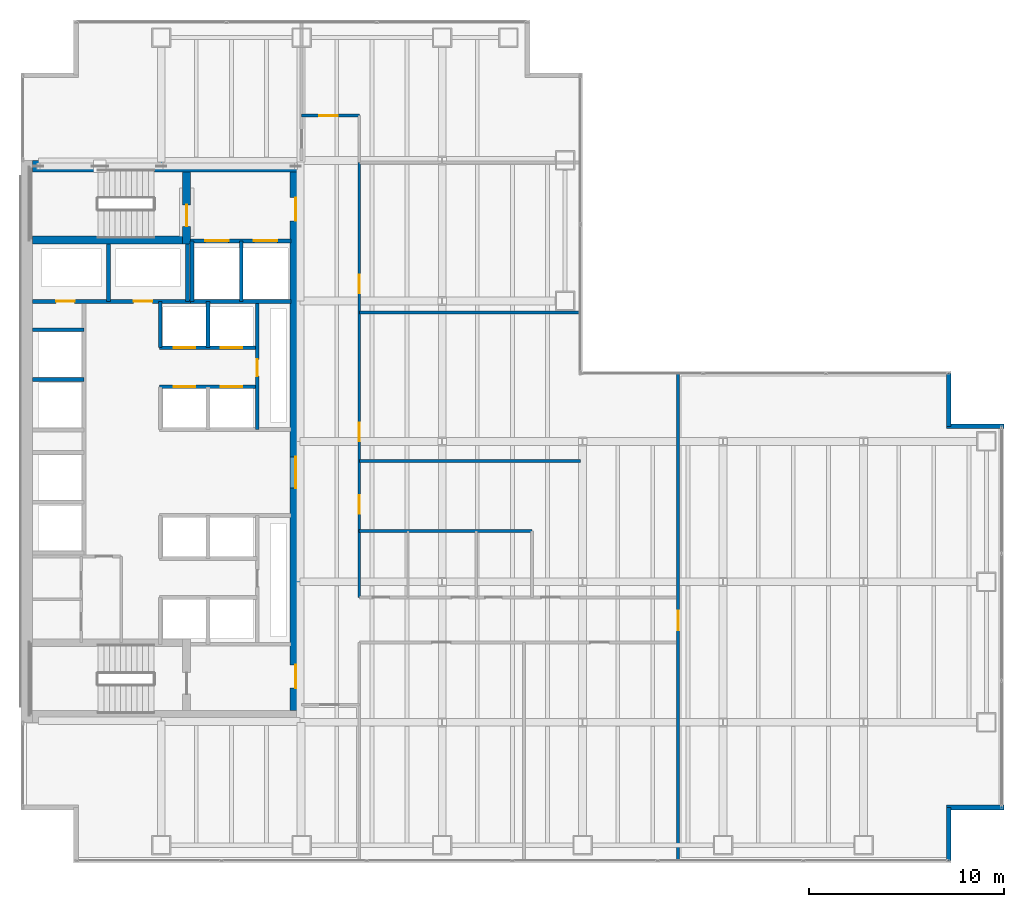
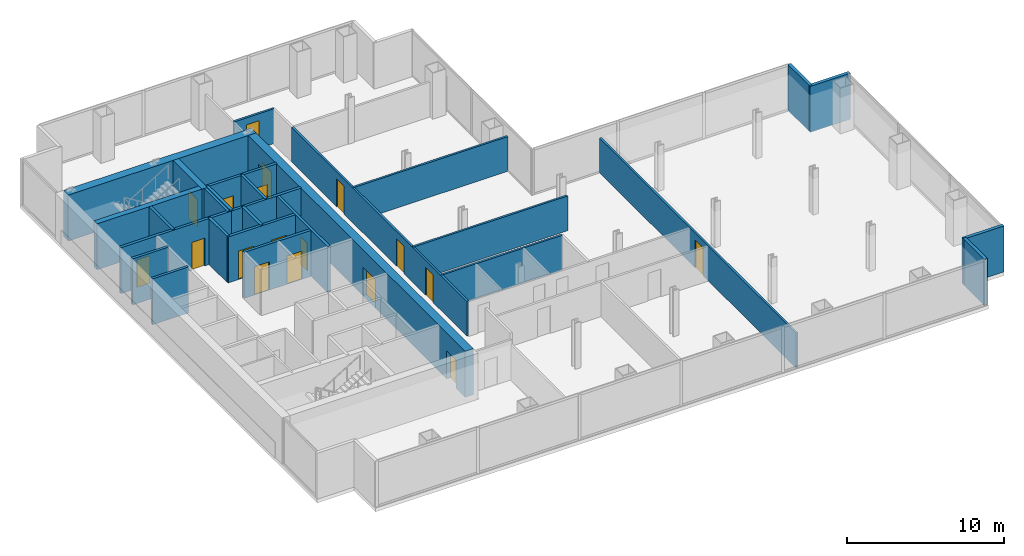
# One storey, part 21 of 25: 28 walls, 18 doors, 18 openings.
"""IFC4 building model written with IfcOpenShell, lengths in metres."""

import ifcopenshell
import ifcopenshell.guid

model = None  # the IFC model being written
_history = None  # IfcOwnerHistory: only IFC2X3 demands one
_inside = {}  # id of a spatial element -> (the spatial element, [elements in it])
_under = {}  # id of a project, library or spatial element -> (it, [spatial elements below it])
_declared = {}  # id of a project -> (the project, [libraries it declares])
_typed = {}  # id of a type object -> (the type object, [elements of that type])
_made_of = {}  # id of a material, layer set ... -> (it, [elements and type objects made of it])


def new_model(schema):
    """Start an empty IFC model of exactly this schema.

    Asked for "IFC4X3", IfcOpenShell would pick the latest addendum, in which some entities
    have other attributes; the version numbers below select the first issue.
    IFC2X3 requires an IfcOwnerHistory on every rooted entity: one is made here for all.
    """
    global model, _history
    if schema == "IFC4X3":
        model = ifcopenshell.file(schema_version=(4, 3, 0, 0))
    else:
        model = ifcopenshell.file(schema=schema)
    _inside.clear()
    _under.clear()
    _declared.clear()
    _typed.clear()
    _made_of.clear()
    _history = None
    if model.schema == "IFC2X3":
        org = make("IfcOrganization", Name="unknown")
        user = make(
            "IfcPersonAndOrganization",
            ThePerson=make("IfcPerson", FamilyName="unknown"),
            TheOrganization=org,
        )
        app = make(
            "IfcApplication",
            ApplicationDeveloper=org,
            Version="unknown",
            ApplicationFullName="unknown",
            ApplicationIdentifier="unknown",
        )
        _history = make(
            "IfcOwnerHistory",
            OwningUser=user,
            OwningApplication=app,
            ChangeAction="ADDED",
            CreationDate=0,
        )
    return model


def make(cls, **values):
    """One entity of the class cls with the attributes given. An attribute that is None is left unset."""
    return model.create_entity(
        cls, **{name: value for name, value in values.items() if value is not None}
    )


def rooted(cls, **values):
    """An entity with a GlobalId (a new one), such as an element, a storey or a relation."""
    return make(cls, GlobalId=ifcopenshell.guid.new(), OwnerHistory=_history, **values)


def si_unit(unit_type, name, prefix=None):
    """IfcSIUnit, for example si_unit("LENGTHUNIT", "METRE", prefix="MILLI")."""
    return make("IfcSIUnit", UnitType=unit_type, Prefix=prefix, Name=name)


def assignment(units):
    """IfcUnitAssignment: the units of a project."""
    return None if units is None else make("IfcUnitAssignment", Units=units)


def point(xyz):
    """IfcCartesianPoint."""
    return None if xyz is None else make("IfcCartesianPoint", Coordinates=xyz)


def direction(xyz):
    """IfcDirection."""
    return None if xyz is None else make("IfcDirection", DirectionRatios=xyz)


def frame(location, z_axis=None, x_axis=None):
    """IfcAxis2Placement3D, a coordinate frame: its origin and axes. An axis left out is left unset."""
    return make(
        "IfcAxis2Placement3D",
        Location=point(location),
        Axis=direction(z_axis),
        RefDirection=direction(x_axis),
    )


def frame_2d(location, x_axis=None):
    """IfcAxis2Placement2D, a coordinate frame in the plane: its origin and x axis."""
    return make(
        "IfcAxis2Placement2D", Location=point(location), RefDirection=direction(x_axis)
    )


def origin():
    """The frame at (0, 0, 0) with its axes left unset."""
    return frame((0.0, 0.0, 0.0))


def place(relative_to, where):
    """IfcLocalPlacement: puts the frame where relative to a parent placement (None: the world)."""
    return make(
        "IfcLocalPlacement", PlacementRelTo=relative_to, RelativePlacement=where
    )


def context(
    kind, dimensions, precision=None, world=None, true_north=None, identifier=None
):
    """IfcGeometricRepresentationContext, for example the 3D "Model" context."""
    return make(
        "IfcGeometricRepresentationContext",
        ContextIdentifier=identifier,
        ContextType=kind,
        CoordinateSpaceDimension=dimensions,
        Precision=precision,
        WorldCoordinateSystem=world,
        TrueNorth=true_north,
    )


def subcontext(parent, identifier, kind, view, scale=None):
    """IfcGeometricRepresentationSubContext, for example "Body" below "Model"."""
    return make(
        "IfcGeometricRepresentationSubContext",
        ContextIdentifier=identifier,
        ContextType=kind,
        ParentContext=parent,
        TargetScale=scale,
        TargetView=view,
    )


def project(units=None, contexts=None):
    """IfcProject with its units and contexts."""
    return rooted(
        "IfcProject",
        Name="project",
        RepresentationContexts=contexts,
        UnitsInContext=assignment(units),
    )


def spatial(cls, under=None, at=None, **own):
    """A site, building, storey or space (cls), placed at a placement, below another one or the project."""
    s = rooted(cls, ObjectPlacement=at, **own)
    if under is not None:
        _under.setdefault(under.id(), (under, []))[1].append(s)
    return s


def profile(cls, at=None, kind="AREA", **sizes):
    """A parametric profile (cls). Its sizes go by their IFC names, for example OverallWidth=200.0."""
    return make(cls, ProfileType=kind, Position=at, **sizes)


def rectangle(**sizes):
    """IfcRectangleProfileDef."""
    return profile("IfcRectangleProfileDef", **sizes)


def extrude(swept, where, along, depth):
    """IfcExtrudedAreaSolid: the profile swept, set in the frame where, extruded along a direction by depth."""
    return make(
        "IfcExtrudedAreaSolid",
        SweptArea=swept,
        Position=where,
        ExtrudedDirection=direction(along),
        Depth=depth,
    )


def shape(context_of_items, identifier, shape_type, items):
    """IfcShapeRepresentation: the items that make up one representation, for example the "Body"."""
    return make(
        "IfcShapeRepresentation",
        ContextOfItems=context_of_items,
        RepresentationIdentifier=identifier,
        RepresentationType=shape_type,
        Items=items,
    )


def material(Name=None, Category=None):
    """IfcMaterial."""
    return make("IfcMaterial", Name=Name, Category=Category)


def layer(
    of_material, thickness, ventilated=None, Name=None, Category=None, Priority=None
):
    """IfcMaterialLayer: one layer of a wall or slab, of a material (None: an air gap)."""
    return make(
        "IfcMaterialLayer",
        Material=of_material,
        LayerThickness=thickness,
        IsVentilated=ventilated,
        Name=Name,
        Category=Category,
        Priority=Priority,
    )


def layer_set(layers, Name=None):
    """IfcMaterialLayerSet."""
    return make("IfcMaterialLayerSet", MaterialLayers=layers, LayerSetName=Name)


def made_of(thing, what):
    """Note that an element or type object is made of a material, layer set ...; save() writes the relation."""
    if what is not None:
        _made_of.setdefault(what.id(), (what, []))[1].append(thing)
    return thing


def type_object(cls, material=None, **own):
    """A type object (cls), such as IfcWallType, which elements share."""
    return made_of(rooted(cls, **own), material)


def element(
    cls,
    number,
    at=None,
    inside=None,
    cuts=None,
    type_object=None,
    material=None,
    context=None,
    identifier="Body",
    shape_type=None,
    held_by="IfcProductDefinitionShape",
    body=None,
    shapes=None,
    **own,
):
    """One element of the class cls, such as IfcWall. Its Tag is "e" and its number.

    at: its placement. inside: the storey or other place that contains it. cuts: it is an
    opening in that element (IfcRelVoidsElement). A single representation is given by context,
    identifier, shape_type and body (its items); several are given by shapes. held_by: the class
    of the entity that holds the representations. save() writes the other relations.
    """
    e = rooted(cls, Tag="e%d" % number, ObjectPlacement=at, **own)
    if body is not None:
        shapes = [shape(context, identifier, shape_type, body)]
    if shapes is not None:
        e.Representation = make(held_by, Representations=shapes)
    if inside is not None:
        _inside.setdefault(inside.id(), (inside, []))[1].append(e)
    if cuts is not None:
        rooted(
            "IfcRelVoidsElement", RelatingBuildingElement=cuts, RelatedOpeningElement=e
        )
    if type_object is not None:
        _typed.setdefault(type_object.id(), (type_object, []))[1].append(e)
    return made_of(e, material)


def fill(opening, filler):
    """IfcRelFillsElement: the door or window that sits in an opening."""
    return rooted(
        "IfcRelFillsElement",
        RelatingOpeningElement=opening,
        RelatedBuildingElement=filler,
    )


def aggregate(whole, parts):
    """IfcRelAggregates: a whole, such as a stair, and the parts it consists of."""
    return rooted("IfcRelAggregates", RelatingObject=whole, RelatedObjects=parts)


def save(model, path):
    """Write the relations noted so far, then the file.

    IfcRelAggregates (storeys below a building ...), IfcRelContainedInSpatialStructure (elements
    in a storey), IfcRelDefinesByType, IfcRelAssociatesMaterial and IfcRelDeclares: one each for
    every whole, place, type object, material and project.
    """
    for whole, parts in _under.values():
        aggregate(whole, parts)
    for where, things in _inside.values():
        rooted(
            "IfcRelContainedInSpatialStructure",
            RelatedElements=things,
            RelatingStructure=where,
        )
    for kind, things in _typed.values():
        rooted("IfcRelDefinesByType", RelatedObjects=things, RelatingType=kind)
    for what, things in _made_of.values():
        rooted("IfcRelAssociatesMaterial", RelatedObjects=things, RelatingMaterial=what)
    for by, libraries in _declared.values():
        rooted("IfcRelDeclares", RelatingContext=by, RelatedDefinitions=libraries)
    model.write(path)


model = new_model("IFC4")

# Units and contexts
model_context = context("Model", 3, precision=1e-05, world=origin(), true_north=direction((0.0, 1.0)))
body_context = subcontext(model_context, "Body", "Model", "MODEL_VIEW")
ifc_project = project(units=[si_unit("LENGTHUNIT", "METRE"), si_unit("AREAUNIT", "SQUARE_METRE"), si_unit("VOLUMEUNIT", "CUBIC_METRE"), si_unit("PLANEANGLEUNIT", "RADIAN"), si_unit("MASSUNIT", "GRAM", prefix="KILO")], contexts=[model_context])

# Site, building, storey
site_placement = place(None, origin())
site = spatial("IfcSite", under=ifc_project, at=site_placement, CompositionType="ELEMENT")
building_placement = place(site_placement, origin())
building = spatial("IfcBuilding", under=site, at=building_placement, Name="Cobrela Telecom Tower", CompositionType="ELEMENT")
storey_placement = place(building_placement, frame((0.0, 0.0, 61.949951171875)))
storey = spatial("IfcBuildingStorey", under=building, at=storey_placement, Name="L15", CompositionType="ELEMENT", Elevation=61.949951171875)

# Wall
ifc_material_1 = material(Name="Concrete C50/60", Category="concrete")
ifc_layer_1 = layer(ifc_material_1, 0.60009765625)
ifc_layer_set_1 = layer_set([ifc_layer_1], Name="Concrete C50/60")
wall_type_1 = type_object("IfcWallType", Name="WALL-CORE-C50-600", PredefinedType="SHEAR", material=ifc_layer_set_1)
wall_1_placement = place(storey_placement, frame((0.60009765625, 35.699951171875, 0.0), z_axis=(0.0, 0.0, 1.0), x_axis=(1.0, 0.0, 0.0)))
element("IfcWall", 1, at=wall_1_placement, inside=storey, type_object=wall_type_1, Name="L15 North Core Shear Wall", PredefinedType="SHEAR", context=body_context, shape_type="SweptSolid", body=[
    extrude(rectangle(XDim=13.7998046875, YDim=0.60009765625, at=frame_2d((6.89990234375, 0.0))), origin(), (0.0, 0.0, 1.0), 3.570068359375),
])

# Wall, openings, doors
wall_2_placement = place(storey_placement, frame((14.10009765625, 35.39990234375, 0.0), z_axis=(0.0, 0.0, 1.0), x_axis=(0.0, -1.0, 0.0)))
wall_2 = element("IfcWall", 2, at=wall_2_placement, inside=storey, type_object=wall_type_1, Name="L15 East Core Shear Wall", PredefinedType="SHEAR", context=body_context, shape_type="SweptSolid", body=[
    extrude(rectangle(XDim=27.599853515625, YDim=0.60009765625, at=frame_2d((13.7998046875, 0.0))), origin(), (0.0, 0.0, 1.0), 3.570068359375),
])
opening_1_placement = place(wall_2_placement, frame((1.300048828125, 0.0, 0.0)))
opening_1 = element("IfcOpeningElement", 3, at=opening_1_placement, cuts=wall_2, Name="Opening DR-19", PredefinedType="OPENING", context=body_context, shape_type="SweptSolid", body=[
    extrude(rectangle(XDim=1.199951171875, YDim=2.14990234375, at=frame_2d((0.60009765625, 1.074951171875))), frame((0.0, 0.31201171875, 0.0), z_axis=(0.0, -1.0, 0.0), x_axis=(1.0, 0.0, 0.0)), (0.0, 0.0, 1.0), 0.6240234375),
])
opening_2_placement = place(wall_2_placement, frame((25.25, 0.0, 0.0)))
opening_2 = element("IfcOpeningElement", 4, at=opening_2_placement, cuts=wall_2, Name="Opening DR-19", PredefinedType="OPENING", context=body_context, shape_type="SweptSolid", body=[
    extrude(rectangle(XDim=1.199951171875, YDim=2.14990234375, at=frame_2d((0.60009765625, 1.074951171875))), frame((0.0, 0.31201171875, 0.0), z_axis=(0.0, -1.0, 0.0), x_axis=(1.0, 0.0, 0.0)), (0.0, 0.0, 1.0), 0.6240234375),
])
opening_3_placement = place(wall_2_placement, frame((14.60009765625, 0.0, 0.0)))
opening_3 = element("IfcOpeningElement", 5, at=opening_3_placement, cuts=wall_2, Name="Opening DR-51", PredefinedType="OPENING", context=body_context, shape_type="SweptSolid", body=[
    extrude(rectangle(XDim=1.60009765625, YDim=2.199951171875, at=frame_2d((0.800048828125, 1.10009765625))), frame((0.0, 0.31201171875, 0.0), z_axis=(0.0, -1.0, 0.0), x_axis=(1.0, 0.0, 0.0)), (0.0, 0.0, 1.0), 0.6240234375),
])
ifc_material_2 = material(Name="Steel ASTM A36", Category="steel")
door_type_1 = type_object("IfcDoorType", Name="DOOR-FD60-1200", OperationType="SINGLE_SWING_LEFT", PredefinedType="DOOR", material=ifc_material_2)
door_1_placement = place(opening_1_placement, origin())
door_1 = element("IfcDoor", 6, at=door_1_placement, inside=storey, type_object=door_type_1, Name="L15 Door DR-19", OperationType="SINGLE_SWING_LEFT", OverallHeight=2.14990234375, OverallWidth=1.199951171875, PredefinedType="DOOR", context=body_context, shape_type="SweptSolid", body=[
    extrude(rectangle(XDim=1.199951171875, YDim=2.14990234375, at=frame_2d((0.60009765625, 1.074951171875))), frame((0.0, 0.02490234375, 0.0), z_axis=(0.0, -1.0, 0.0), x_axis=(1.0, 0.0, 0.0)), (0.0, 0.0, 1.0), 0.050048828125),
])
fill(opening_1, door_1)
door_2_placement = place(opening_2_placement, origin())
door_2 = element("IfcDoor", 7, at=door_2_placement, inside=storey, type_object=door_type_1, Name="L15 Door DR-19", OperationType="SINGLE_SWING_RIGHT", OverallHeight=2.14990234375, OverallWidth=1.199951171875, PredefinedType="DOOR", context=body_context, shape_type="SweptSolid", body=[
    extrude(rectangle(XDim=1.199951171875, YDim=2.14990234375, at=frame_2d((0.60009765625, 1.074951171875))), frame((0.0, 0.02490234375, 0.0), z_axis=(0.0, -1.0, 0.0), x_axis=(1.0, 0.0, 0.0)), (0.0, 0.0, 1.0), 0.050048828125),
])
fill(opening_2, door_2)
door_type_2 = type_object("IfcDoorType", Name="DOOR-FD60-1600", OperationType="SINGLE_SWING_LEFT", PredefinedType="DOOR", material=ifc_material_2)
door_3_placement = place(opening_3_placement, origin())
door_3 = element("IfcDoor", 8, at=door_3_placement, inside=storey, type_object=door_type_2, Name="L15 Door DR-51", OperationType="DOUBLE_DOOR_SINGLE_SWING", OverallHeight=2.199951171875, OverallWidth=1.60009765625, PredefinedType="DOOR", context=body_context, shape_type="SweptSolid", body=[
    extrude(rectangle(XDim=1.60009765625, YDim=2.199951171875, at=frame_2d((0.800048828125, 1.10009765625))), frame((0.0, 0.02490234375, 0.0), z_axis=(0.0, -1.0, 0.0), x_axis=(1.0, 0.0, 0.0)), (0.0, 0.0, 1.0), 0.050048828125),
])
fill(opening_3, door_3)

# Walls
ifc_material_3 = material(Name="Concrete C40/50", Category="concrete")
ifc_layer_2 = layer(ifc_material_3, 0.239990234375)
ifc_layer_set_2 = layer_set([ifc_layer_2], Name="Concrete C40/50")
wall_type_2 = type_object("IfcWallType", Name="WALL-EXT-300", PredefinedType="STANDARD", material=ifc_layer_set_2)
wall_3_placement = place(storey_placement, frame((47.570068359375, 25.080078125, 0.0), z_axis=(0.0, 0.0, 1.0), x_axis=(0.0, -1.0, 0.0)))
element("IfcWall", 9, at=wall_3_placement, inside=storey, type_object=wall_type_2, Name="L15 Insulated Facade Wall 12", PredefinedType="STANDARD", context=body_context, shape_type="SweptSolid", body=[
    extrude(rectangle(XDim=2.7099609375, YDim=0.239990234375, at=frame_2d((1.35498046875, 0.0))), origin(), (0.0, 0.0, 1.0), 3.570068359375),
])
for number, where, z_axis, x_axis, name in (
    (10, (47.449951171875, 22.3701171875, 0.0), (0.0, 0.0, 1.0), (1.0, 0.0, 0.0), "L15 Insulated Facade Wall 13"),
    (11, (50.39990234375, 2.830078125, 0.0), (0.0, 0.0, 1.0), (-1.0, 0.0, 0.0), "L15 Insulated Facade Wall 15"),
):
    element("IfcWall", number, at=place(storey_placement, frame(where, z_axis=z_axis, x_axis=x_axis)), inside=storey, type_object=wall_type_2, Name=name, PredefinedType="STANDARD", context=body_context, shape_type="SweptSolid", body=[
        extrude(rectangle(XDim=2.949951171875, YDim=0.239990234375, at=frame_2d((1.47509765625, 0.0))), origin(), (0.0, 0.0, 1.0), 3.570068359375),
    ])
wall_4_placement = place(storey_placement, frame((47.570068359375, 2.830078125, 0.0), z_axis=(0.0, 0.0, 1.0), x_axis=(0.0, -1.0, 0.0)))
element("IfcWall", 12, at=wall_4_placement, inside=storey, type_object=wall_type_2, Name="L15 Insulated Facade Wall 16", PredefinedType="STANDARD", context=body_context, shape_type="SweptSolid", body=[
    extrude(rectangle(XDim=2.7099609375, YDim=0.239990234375, at=frame_2d((1.35498046875, 0.0))), origin(), (0.0, 0.0, 1.0), 3.570068359375),
])

# Wall, openings, doors
ifc_material_4 = material(Name="Fire-Rated Gypsum Plasterboard")
ifc_layer_3 = layer(ifc_material_4, 0.14990234375)
ifc_layer_set_3 = layer_set([ifc_layer_3], Name="Fire-Rated Gypsum Plasterboard")
wall_type_3 = type_object("IfcWallType", Name="WALL-PART-150", PredefinedType="PARTITIONING", material=ifc_layer_set_3)
wall_5_placement = place(storey_placement, frame((17.35009765625, 13.60009765625, 0.0), z_axis=(0.0, 0.0, 1.0), x_axis=(0.0, 1.0, 0.0)))
wall_5 = element("IfcWall", 13, at=wall_5_placement, inside=storey, type_object=wall_type_3, Name="L15 Interior Partition W-C-E2", PredefinedType="PARTITIONING", context=body_context, shape_type="SweptSolid", body=[
    extrude(rectangle(XDim=22.2998046875, YDim=0.14990234375, at=frame_2d((11.14990234375, 0.0))), origin(), (0.0, 0.0, 1.0), 2.698974609375),
])
opening_4_placement = place(wall_5_placement, frame((4.300048828125, 0.0, 0.0)))
opening_4 = element("IfcOpeningElement", 14, at=opening_4_placement, cuts=wall_5, Name="Opening DR-67", PredefinedType="OPENING", context=body_context, shape_type="SweptSolid", body=[
    extrude(rectangle(XDim=0.949951171875, YDim=2.14990234375, at=frame_2d((0.47509765625, 1.074951171875))), frame((0.0, 0.0869140625, 0.0), z_axis=(0.0, -1.0, 0.0), x_axis=(1.0, 0.0, 0.0)), (0.0, 0.0, 1.0), 0.173828125),
])
opening_5_placement = place(wall_5_placement, frame((8.0, 0.0, 0.0)))
opening_5 = element("IfcOpeningElement", 15, at=opening_5_placement, cuts=wall_5, Name="Opening DR-67", PredefinedType="OPENING", context=body_context, shape_type="SweptSolid", body=[
    extrude(rectangle(XDim=0.949951171875, YDim=2.14990234375, at=frame_2d((0.47509765625, 1.074951171875))), frame((0.0, 0.0869140625, 0.0), z_axis=(0.0, -1.0, 0.0), x_axis=(1.0, 0.0, 0.0)), (0.0, 0.0, 1.0), 0.173828125),
])
opening_6_placement = place(wall_5_placement, frame((15.60009765625, 0.0, 0.0)))
opening_6 = element("IfcOpeningElement", 16, at=opening_6_placement, cuts=wall_5, Name="Opening DR-67", PredefinedType="OPENING", context=body_context, shape_type="SweptSolid", body=[
    extrude(rectangle(XDim=0.949951171875, YDim=2.14990234375, at=frame_2d((0.47509765625, 1.074951171875))), frame((0.0, 0.0869140625, 0.0), z_axis=(0.0, -1.0, 0.0), x_axis=(1.0, 0.0, 0.0)), (0.0, 0.0, 1.0), 0.173828125),
])
ifc_material_5 = material(Name="Solid Engineered Oak Timber", Category="wood")
door_type_3 = type_object("IfcDoorType", Name="DOOR-INT-950", OperationType="SINGLE_SWING_LEFT", PredefinedType="DOOR", material=ifc_material_5)
door_4_placement = place(opening_4_placement, origin())
door_4 = element("IfcDoor", 17, at=door_4_placement, inside=storey, type_object=door_type_3, Name="L15 Door DR-67", OperationType="SINGLE_SWING_RIGHT", OverallHeight=2.14990234375, OverallWidth=0.949951171875, PredefinedType="DOOR", context=body_context, shape_type="SweptSolid", body=[
    extrude(rectangle(XDim=0.949951171875, YDim=2.14990234375, at=frame_2d((0.47509765625, 1.074951171875))), frame((0.0, 0.02490234375, 0.0), z_axis=(0.0, -1.0, 0.0), x_axis=(1.0, 0.0, 0.0)), (0.0, 0.0, 1.0), 0.050048828125),
])
fill(opening_4, door_4)
door_5_placement = place(opening_5_placement, origin())
door_5 = element("IfcDoor", 18, at=door_5_placement, inside=storey, type_object=door_type_3, Name="L15 Door DR-67", OperationType="SINGLE_SWING_LEFT", OverallHeight=2.14990234375, OverallWidth=0.949951171875, PredefinedType="DOOR", context=body_context, shape_type="SweptSolid", body=[
    extrude(rectangle(XDim=0.949951171875, YDim=2.14990234375, at=frame_2d((0.47509765625, 1.074951171875))), frame((0.0, 0.02490234375, 0.0), z_axis=(0.0, -1.0, 0.0), x_axis=(1.0, 0.0, 0.0)), (0.0, 0.0, 1.0), 0.050048828125),
])
fill(opening_5, door_5)
door_6_placement = place(opening_6_placement, origin())
door_6 = element("IfcDoor", 19, at=door_6_placement, inside=storey, type_object=door_type_3, Name="L15 Door DR-67", OperationType="SINGLE_SWING_RIGHT", OverallHeight=2.14990234375, OverallWidth=0.949951171875, PredefinedType="DOOR", context=body_context, shape_type="SweptSolid", body=[
    extrude(rectangle(XDim=0.949951171875, YDim=2.14990234375, at=frame_2d((0.47509765625, 1.074951171875))), frame((0.0, 0.02490234375, 0.0), z_axis=(0.0, -1.0, 0.0), x_axis=(1.0, 0.0, 0.0)), (0.0, 0.0, 1.0), 0.050048828125),
])
fill(opening_6, door_6)

# Wall, opening, door
wall_6_placement = place(storey_placement, frame((33.699951171875, 0.1201171875, 0.0), z_axis=(0.0, 0.0, 1.0), x_axis=(0.0, 1.0, 0.0)))
wall_6 = element("IfcWall", 20, at=wall_6_placement, inside=storey, type_object=wall_type_3, Name="L15 Interior Partition W-C-END", PredefinedType="PARTITIONING", context=body_context, shape_type="SweptSolid", body=[
    extrude(rectangle(XDim=24.9599609375, YDim=0.14990234375, at=frame_2d((12.47998046875, 0.0))), origin(), (0.0, 0.0, 1.0), 2.698974609375),
])
opening_7_placement = place(wall_6_placement, frame((11.800048828125, 0.0, 0.0)))
opening_7 = element("IfcOpeningElement", 21, at=opening_7_placement, cuts=wall_6, Name="Opening DR-31", PredefinedType="OPENING", context=body_context, shape_type="SweptSolid", body=[
    extrude(rectangle(XDim=1.0, YDim=2.14990234375, at=frame_2d((0.5, 1.074951171875))), frame((0.0, 0.0869140625, 0.0), z_axis=(0.0, -1.0, 0.0), x_axis=(1.0, 0.0, 0.0)), (0.0, 0.0, 1.0), 0.173828125),
])
door_type_4 = type_object("IfcDoorType", Name="DOOR-INT-1000", OperationType="SINGLE_SWING_LEFT", PredefinedType="DOOR", material=ifc_material_5)
door_7_placement = place(opening_7_placement, origin())
door_7 = element("IfcDoor", 22, at=door_7_placement, inside=storey, type_object=door_type_4, Name="L15 Door DR-31", OperationType="SINGLE_SWING_LEFT", OverallHeight=2.14990234375, OverallWidth=1.0, PredefinedType="DOOR", context=body_context, shape_type="SweptSolid", body=[
    extrude(rectangle(XDim=1.0, YDim=2.14990234375, at=frame_2d((0.5, 1.074951171875))), frame((0.0, 0.02490234375, 0.0), z_axis=(0.0, -1.0, 0.0), x_axis=(1.0, 0.0, 0.0)), (0.0, 0.0, 1.0), 0.050048828125),
])
fill(opening_7, door_7)

wall_7_placement = place(storey_placement, frame((14.39990234375, 38.300048828125, 0.0), z_axis=(0.0, 0.0, 1.0), x_axis=(1.0, 0.0, 0.0)))
wall_7 = element("IfcWall", 23, at=wall_7_placement, inside=storey, type_object=wall_type_3, Name="L15 Interior Partition W-CN-T", PredefinedType="PARTITIONING", context=body_context, shape_type="SweptSolid", body=[
    extrude(rectangle(XDim=2.9501953125, YDim=0.14990234375, at=frame_2d((1.47509765625, 0.0))), origin(), (0.0, 0.0, 1.0), 2.698974609375),
])
opening_8_placement = place(wall_7_placement, frame((0.89990234375, 0.0, 0.0)))
opening_8 = element("IfcOpeningElement", 24, at=opening_8_placement, cuts=wall_7, Name="Opening DR-67", PredefinedType="OPENING", context=body_context, shape_type="SweptSolid", body=[
    extrude(rectangle(XDim=0.949951171875, YDim=2.14990234375, at=frame_2d((0.47509765625, 1.074951171875))), frame((0.0, 0.0869140625, 0.0), z_axis=(0.0, -1.0, 0.0), x_axis=(1.0, 0.0, 0.0)), (0.0, 0.0, 1.0), 0.173828125),
])
door_8_placement = place(opening_8_placement, origin())
door_8 = element("IfcDoor", 25, at=door_8_placement, inside=storey, type_object=door_type_3, Name="L15 Door DR-67", OperationType="SINGLE_SWING_RIGHT", OverallHeight=2.14990234375, OverallWidth=0.949951171875, PredefinedType="DOOR", context=body_context, shape_type="SweptSolid", body=[
    extrude(rectangle(XDim=0.949951171875, YDim=2.14990234375, at=frame_2d((0.47509765625, 1.074951171875))), frame((0.0, 0.02490234375, 0.0), z_axis=(0.0, -1.0, 0.0), x_axis=(1.0, 0.0, 0.0)), (0.0, 0.0, 1.0), 0.050048828125),
])
fill(opening_8, door_8)

# Walls
wall_8_placement = place(storey_placement, frame((17.35009765625, 17.0, 0.0), z_axis=(0.0, 0.0, 1.0), x_axis=(1.0, 0.0, 0.0)))
element("IfcWall", 26, at=wall_8_placement, inside=storey, type_object=wall_type_3, Name="L15 Interior Partition W-WC-N", PredefinedType="PARTITIONING", context=body_context, shape_type="SweptSolid", body=[
    extrude(rectangle(XDim=8.849853515625, YDim=0.14990234375, at=frame_2d((4.4248046875, 0.0))), origin(), (0.0, 0.0, 1.0), 2.698974609375),
])
for number, where, z_axis, x_axis, name in (
    (27, (17.35009765625, 20.60009765625, 0.0), (0.0, 0.0, 1.0), (1.0, 0.0, 0.0), "L15 Interior Partition W-NPAN-T"),
    (28, (17.35009765625, 28.199951171875, 0.0), (0.0, 0.0, 1.0), (1.0, 0.0, 0.0), "L15 Interior Partition W-NT-M"),
):
    element("IfcWall", number, at=place(storey_placement, frame(where, z_axis=z_axis, x_axis=x_axis)), inside=storey, type_object=wall_type_3, Name=name, PredefinedType="PARTITIONING", context=body_context, shape_type="SweptSolid", body=[
        extrude(rectangle(XDim=11.329833984375, YDim=0.14990234375, at=frame_2d((5.6650390625, 0.0))), origin(), (0.0, 0.0, 1.0), 2.698974609375),
    ])

# Wall, openings, doors
ifc_layer_4 = layer(ifc_material_4, 0.199951171875)
ifc_layer_set_4 = layer_set([ifc_layer_4], Name="Fire-Rated Gypsum Plasterboard")
wall_type_4 = type_object("IfcWallType", Name="WALL-SHAFT-200", PredefinedType="PARTITIONING", material=ifc_layer_set_4)
wall_9_placement = place(storey_placement, frame((8.699951171875, 31.8798828125, 0.0), z_axis=(0.0, 0.0, 1.0), x_axis=(1.0, 0.0, 0.0)))
wall_9 = element("IfcWall", 29, at=wall_9_placement, inside=storey, type_object=wall_type_4, Name="L15 Shaft Enclosure CW-FFL-S", PredefinedType="PARTITIONING", context=body_context, shape_type="SweptSolid", body=[
    extrude(rectangle(XDim=5.150146484375, YDim=0.199951171875, at=frame_2d((2.5751953125, 0.0))), origin(), (0.0, 0.0, 1.0), 3.570068359375),
])
opening_9_placement = place(wall_9_placement, frame((0.75, 0.0, 0.0)))
opening_9 = element("IfcOpeningElement", 30, at=opening_9_placement, cuts=wall_9, Name="Opening LD-2", PredefinedType="OPENING", context=body_context, shape_type="SweptSolid", body=[
    extrude(rectangle(XDim=1.199951171875, YDim=2.199951171875, at=frame_2d((0.60009765625, 1.10009765625))), frame((0.0, 0.11181640625, 0.0), z_axis=(0.0, -1.0, 0.0), x_axis=(1.0, 0.0, 0.0)), (0.0, 0.0, 1.0), 0.223876953125),
])
opening_10_placement = place(wall_9_placement, frame((3.25, 0.0, 0.0)))
opening_10 = element("IfcOpeningElement", 31, at=opening_10_placement, cuts=wall_9, Name="Opening LD-2", PredefinedType="OPENING", context=body_context, shape_type="SweptSolid", body=[
    extrude(rectangle(XDim=1.199951171875, YDim=2.199951171875, at=frame_2d((0.60009765625, 1.10009765625))), frame((0.0, 0.11181640625, 0.0), z_axis=(0.0, -1.0, 0.0), x_axis=(1.0, 0.0, 0.0)), (0.0, 0.0, 1.0), 0.223876953125),
])
door_type_5 = type_object("IfcDoorType", Name="DOOR-LD-FFL", OperationType="SINGLE_SWING_LEFT", PredefinedType="DOOR", material=ifc_material_2)
door_9_placement = place(opening_9_placement, origin())
door_9 = element("IfcDoor", 32, at=door_9_placement, inside=storey, type_object=door_type_5, Name="L15 Lift Landing Door LD-2", OperationType="DOUBLE_DOOR_SLIDING", OverallHeight=2.199951171875, OverallWidth=1.199951171875, PredefinedType="DOOR", context=body_context, shape_type="SweptSolid", body=[
    extrude(rectangle(XDim=1.199951171875, YDim=2.199951171875, at=frame_2d((0.60009765625, 1.10009765625))), frame((0.0, 0.02490234375, 0.0), z_axis=(0.0, -1.0, 0.0), x_axis=(1.0, 0.0, 0.0)), (0.0, 0.0, 1.0), 0.050048828125),
])
fill(opening_9, door_9)
door_10_placement = place(opening_10_placement, origin())
door_10 = element("IfcDoor", 33, at=door_10_placement, inside=storey, type_object=door_type_5, Name="L15 Lift Landing Door LD-2", OperationType="DOUBLE_DOOR_SLIDING", OverallHeight=2.199951171875, OverallWidth=1.199951171875, PredefinedType="DOOR", context=body_context, shape_type="SweptSolid", body=[
    extrude(rectangle(XDim=1.199951171875, YDim=2.199951171875, at=frame_2d((0.60009765625, 1.10009765625))), frame((0.0, 0.02490234375, 0.0), z_axis=(0.0, -1.0, 0.0), x_axis=(1.0, 0.0, 0.0)), (0.0, 0.0, 1.0), 0.050048828125),
])
fill(opening_10, door_10)

# Walls
wall_10_placement = place(storey_placement, frame((8.699951171875, 28.780029296875, 0.0), z_axis=(0.0, 0.0, 1.0), x_axis=(1.0, 0.0, 0.0)))
element("IfcWall", 34, at=wall_10_placement, inside=storey, type_object=wall_type_4, Name="L15 Shaft Enclosure CW-FFL-S2", PredefinedType="PARTITIONING", context=body_context, shape_type="SweptSolid", body=[
    extrude(rectangle(XDim=5.150146484375, YDim=0.199951171875, at=frame_2d((2.5751953125, 0.0))), origin(), (0.0, 0.0, 1.0), 3.570068359375),
])
for number, where, z_axis, x_axis, name in (
    (35, (8.780029296875, 28.780029296875, 0.0), (0.0, 0.0, 1.0), (0.0, 1.0, 0.0), "L15 Shaft Enclosure CW-FFL-W"),
    (36, (11.300048828125, 28.780029296875, 0.0), (0.0, 0.0, 1.0), (0.0, 1.0, 0.0), "L15 Shaft Enclosure CW-FFL-M"),
):
    element("IfcWall", number, at=place(storey_placement, frame(where, z_axis=z_axis, x_axis=x_axis)), inside=storey, type_object=wall_type_4, Name=name, PredefinedType="PARTITIONING", context=body_context, shape_type="SweptSolid", body=[
        extrude(rectangle(XDim=3.099853515625, YDim=0.199951171875, at=frame_2d((1.5498046875, 0.0))), origin(), (0.0, 0.0, 1.0), 3.570068359375),
    ])

# Wall, openings, doors
wall_11_placement = place(storey_placement, frame((0.60009765625, 28.780029296875, 0.0), z_axis=(0.0, 0.0, 1.0), x_axis=(1.0, 0.0, 0.0)))
wall_11 = element("IfcWall", 37, at=wall_11_placement, inside=storey, type_object=wall_type_4, Name="L15 Shaft Enclosure CW-RIS-S", PredefinedType="PARTITIONING", context=body_context, shape_type="SweptSolid", body=[
    extrude(rectangle(XDim=8.179931640625, YDim=0.199951171875, at=frame_2d((4.08984375, 0.0))), origin(), (0.0, 0.0, 1.0), 3.570068359375),
])
opening_11_placement = place(wall_11_placement, frame((1.2099609375, 0.0, 0.0)))
opening_11 = element("IfcOpeningElement", 38, at=opening_11_placement, cuts=wall_11, Name="Opening DR-65", PredefinedType="OPENING", context=body_context, shape_type="SweptSolid", body=[
    extrude(rectangle(XDim=0.949951171875, YDim=2.14990234375, at=frame_2d((0.47509765625, 1.074951171875))), frame((0.0, 0.11181640625, 0.0), z_axis=(0.0, -1.0, 0.0), x_axis=(1.0, 0.0, 0.0)), (0.0, 0.0, 1.0), 0.223876953125),
])
opening_12_placement = place(wall_11_placement, frame((5.18994140625, 0.0, 0.0)))
opening_12 = element("IfcOpeningElement", 39, at=opening_12_placement, cuts=wall_11, Name="Opening DR-65", PredefinedType="OPENING", context=body_context, shape_type="SweptSolid", body=[
    extrude(rectangle(XDim=0.949951171875, YDim=2.14990234375, at=frame_2d((0.47509765625, 1.074951171875))), frame((0.0, 0.11181640625, 0.0), z_axis=(0.0, -1.0, 0.0), x_axis=(1.0, 0.0, 0.0)), (0.0, 0.0, 1.0), 0.223876953125),
])
door_type_6 = type_object("IfcDoorType", Name="DOOR-FD60-950", OperationType="SINGLE_SWING_LEFT", PredefinedType="DOOR", material=ifc_material_2)
door_11_placement = place(opening_11_placement, origin())
door_11 = element("IfcDoor", 40, at=door_11_placement, inside=storey, type_object=door_type_6, Name="L15 Door DR-65", OperationType="SINGLE_SWING_LEFT", OverallHeight=2.14990234375, OverallWidth=0.949951171875, PredefinedType="DOOR", context=body_context, shape_type="SweptSolid", body=[
    extrude(rectangle(XDim=0.949951171875, YDim=2.14990234375, at=frame_2d((0.47509765625, 1.074951171875))), frame((0.0, 0.02490234375, 0.0), z_axis=(0.0, -1.0, 0.0), x_axis=(1.0, 0.0, 0.0)), (0.0, 0.0, 1.0), 0.050048828125),
])
fill(opening_11, door_11)
door_12_placement = place(opening_12_placement, origin())
door_12 = element("IfcDoor", 41, at=door_12_placement, inside=storey, type_object=door_type_6, Name="L15 Door DR-65", OperationType="SINGLE_SWING_RIGHT", OverallHeight=2.14990234375, OverallWidth=0.949951171875, PredefinedType="DOOR", context=body_context, shape_type="SweptSolid", body=[
    extrude(rectangle(XDim=0.949951171875, YDim=2.14990234375, at=frame_2d((0.47509765625, 1.074951171875))), frame((0.0, 0.02490234375, 0.0), z_axis=(0.0, -1.0, 0.0), x_axis=(1.0, 0.0, 0.0)), (0.0, 0.0, 1.0), 0.050048828125),
])
fill(opening_12, door_12)

# Walls
for number, where, z_axis, x_axis, name in (
    (42, (4.5, 28.780029296875, 0.0), (0.0, 0.0, 1.0), (0.0, 1.0, 0.0), "L15 Shaft Enclosure CW-RIS-M"),
    (43, (8.550048828125, 28.780029296875, 0.0), (0.0, 0.0, 1.0), (0.0, 1.0, 0.0), "L15 Shaft Enclosure CW-RIS-E"),
):
    element("IfcWall", number, at=place(storey_placement, frame(where, z_axis=z_axis, x_axis=x_axis)), inside=storey, type_object=wall_type_4, Name=name, PredefinedType="PARTITIONING", context=body_context, shape_type="SweptSolid", body=[
        extrude(rectangle(XDim=2.93994140625, YDim=0.199951171875, at=frame_2d((1.469970703125, 0.0))), origin(), (0.0, 0.0, 1.0), 3.570068359375),
    ])
for number, where, z_axis, x_axis, name in (
    (44, (0.60009765625, 24.780029296875, 0.0), (0.0, 0.0, 1.0), (1.0, 0.0, 0.0), "L15 Shaft Enclosure CW-PLH-D12"),
    (45, (0.60009765625, 27.320068359375, 0.0), (0.0, 0.0, 1.0), (1.0, 0.0, 0.0), "L15 Shaft Enclosure CW-PLH-TOP"),
):
    element("IfcWall", number, at=place(storey_placement, frame(where, z_axis=z_axis, x_axis=x_axis)), inside=storey, type_object=wall_type_4, Name=name, PredefinedType="PARTITIONING", context=body_context, shape_type="SweptSolid", body=[
        extrude(rectangle(XDim=2.64990234375, YDim=0.199951171875, at=frame_2d((1.324951171875, 0.0))), origin(), (0.0, 0.0, 1.0), 3.570068359375),
    ])

# Wall, openings, doors
wall_12_placement = place(storey_placement, frame((7.10009765625, 24.39990234375, 0.0), z_axis=(0.0, 0.0, 1.0), x_axis=(1.0, 0.0, 0.0)))
wall_12 = element("IfcWall", 46, at=wall_12_placement, inside=storey, type_object=wall_type_4, Name="L15 Shaft Enclosure CW-PLL-S", PredefinedType="PARTITIONING", context=body_context, shape_type="SweptSolid", body=[
    extrude(rectangle(XDim=5.02001953125, YDim=0.199951171875, at=frame_2d((2.510009765625, 0.0))), origin(), (0.0, 0.0, 1.0), 3.570068359375),
])
opening_13_placement = place(wall_12_placement, frame((0.75, 0.0, 0.0)))
opening_13 = element("IfcOpeningElement", 47, at=opening_13_placement, cuts=wall_12, Name="Opening LD-1", PredefinedType="OPENING", context=body_context, shape_type="SweptSolid", body=[
    extrude(rectangle(XDim=1.10009765625, YDim=2.199951171875, at=frame_2d((0.550048828125, 1.10009765625))), frame((0.0, 0.11181640625, 0.0), z_axis=(0.0, -1.0, 0.0), x_axis=(1.0, 0.0, 0.0)), (0.0, 0.0, 1.0), 0.223876953125),
])
opening_14_placement = place(wall_12_placement, frame((3.14990234375, 0.0, 0.0)))
opening_14 = element("IfcOpeningElement", 48, at=opening_14_placement, cuts=wall_12, Name="Opening LD-1", PredefinedType="OPENING", context=body_context, shape_type="SweptSolid", body=[
    extrude(rectangle(XDim=1.10009765625, YDim=2.199951171875, at=frame_2d((0.550048828125, 1.10009765625))), frame((0.0, 0.11181640625, 0.0), z_axis=(0.0, -1.0, 0.0), x_axis=(1.0, 0.0, 0.0)), (0.0, 0.0, 1.0), 0.223876953125),
])
door_type_7 = type_object("IfcDoorType", Name="DOOR-LD-PL", OperationType="SINGLE_SWING_LEFT", PredefinedType="DOOR", material=ifc_material_2)
door_13_placement = place(opening_13_placement, origin())
door_13 = element("IfcDoor", 49, at=door_13_placement, inside=storey, type_object=door_type_7, Name="L15 Lift Landing Door LD-1", OperationType="DOUBLE_DOOR_SLIDING", OverallHeight=2.199951171875, OverallWidth=1.10009765625, PredefinedType="DOOR", context=body_context, shape_type="SweptSolid", body=[
    extrude(rectangle(XDim=1.10009765625, YDim=2.199951171875, at=frame_2d((0.550048828125, 1.10009765625))), frame((0.0, 0.02490234375, 0.0), z_axis=(0.0, -1.0, 0.0), x_axis=(1.0, 0.0, 0.0)), (0.0, 0.0, 1.0), 0.050048828125),
])
fill(opening_13, door_13)
door_14_placement = place(opening_14_placement, origin())
door_14 = element("IfcDoor", 50, at=door_14_placement, inside=storey, type_object=door_type_7, Name="L15 Lift Landing Door LD-1", OperationType="DOUBLE_DOOR_SLIDING", OverallHeight=2.199951171875, OverallWidth=1.10009765625, PredefinedType="DOOR", context=body_context, shape_type="SweptSolid", body=[
    extrude(rectangle(XDim=1.10009765625, YDim=2.199951171875, at=frame_2d((0.550048828125, 1.10009765625))), frame((0.0, 0.02490234375, 0.0), z_axis=(0.0, -1.0, 0.0), x_axis=(1.0, 0.0, 0.0)), (0.0, 0.0, 1.0), 0.050048828125),
])
fill(opening_14, door_14)

wall_13_placement = place(storey_placement, frame((7.10009765625, 26.39990234375, 0.0), z_axis=(0.0, 0.0, 1.0), x_axis=(1.0, 0.0, 0.0)))
wall_13 = element("IfcWall", 51, at=wall_13_placement, inside=storey, type_object=wall_type_4, Name="L15 Shaft Enclosure CW-PLL-N", PredefinedType="PARTITIONING", context=body_context, shape_type="SweptSolid", body=[
    extrude(rectangle(XDim=5.02001953125, YDim=0.199951171875, at=frame_2d((2.510009765625, 0.0))), origin(), (0.0, 0.0, 1.0), 3.570068359375),
])
opening_15_placement = place(wall_13_placement, frame((0.75, 0.0, 0.0)))
opening_15 = element("IfcOpeningElement", 52, at=opening_15_placement, cuts=wall_13, Name="Opening LD-1", PredefinedType="OPENING", context=body_context, shape_type="SweptSolid", body=[
    extrude(rectangle(XDim=1.10009765625, YDim=2.199951171875, at=frame_2d((0.550048828125, 1.10009765625))), frame((0.0, 0.11181640625, 0.0), z_axis=(0.0, -1.0, 0.0), x_axis=(1.0, 0.0, 0.0)), (0.0, 0.0, 1.0), 0.223876953125),
])
opening_16_placement = place(wall_13_placement, frame((3.14990234375, 0.0, 0.0)))
opening_16 = element("IfcOpeningElement", 53, at=opening_16_placement, cuts=wall_13, Name="Opening LD-1", PredefinedType="OPENING", context=body_context, shape_type="SweptSolid", body=[
    extrude(rectangle(XDim=1.10009765625, YDim=2.199951171875, at=frame_2d((0.550048828125, 1.10009765625))), frame((0.0, 0.11181640625, 0.0), z_axis=(0.0, -1.0, 0.0), x_axis=(1.0, 0.0, 0.0)), (0.0, 0.0, 1.0), 0.223876953125),
])
door_15_placement = place(opening_15_placement, origin())
door_15 = element("IfcDoor", 54, at=door_15_placement, inside=storey, type_object=door_type_7, Name="L15 Lift Landing Door LD-1", OperationType="DOUBLE_DOOR_SLIDING", OverallHeight=2.199951171875, OverallWidth=1.10009765625, PredefinedType="DOOR", context=body_context, shape_type="SweptSolid", body=[
    extrude(rectangle(XDim=1.10009765625, YDim=2.199951171875, at=frame_2d((0.550048828125, 1.10009765625))), frame((0.0, 0.02490234375, 0.0), z_axis=(0.0, -1.0, 0.0), x_axis=(1.0, 0.0, 0.0)), (0.0, 0.0, 1.0), 0.050048828125),
])
fill(opening_15, door_15)
door_16_placement = place(opening_16_placement, origin())
door_16 = element("IfcDoor", 55, at=door_16_placement, inside=storey, type_object=door_type_7, Name="L15 Lift Landing Door LD-1", OperationType="DOUBLE_DOOR_SLIDING", OverallHeight=2.199951171875, OverallWidth=1.10009765625, PredefinedType="DOOR", context=body_context, shape_type="SweptSolid", body=[
    extrude(rectangle(XDim=1.10009765625, YDim=2.199951171875, at=frame_2d((0.550048828125, 1.10009765625))), frame((0.0, 0.02490234375, 0.0), z_axis=(0.0, -1.0, 0.0), x_axis=(1.0, 0.0, 0.0)), (0.0, 0.0, 1.0), 0.050048828125),
])
fill(opening_16, door_16)

# Walls
for number, where, z_axis, x_axis, name in (
    (56, (7.14990234375, 26.39990234375, 0.0), (0.0, 0.0, 1.0), (0.0, 1.0, 0.0), "L15 Shaft Enclosure CW-PLL-V1B"),
    (57, (9.60009765625, 26.39990234375, 0.0), (0.0, 0.0, 1.0), (0.0, 1.0, 0.0), "L15 Shaft Enclosure CW-PLL-V2B"),
):
    element("IfcWall", number, at=place(storey_placement, frame(where, z_axis=z_axis, x_axis=x_axis)), inside=storey, type_object=wall_type_4, Name=name, PredefinedType="PARTITIONING", context=body_context, shape_type="SweptSolid", body=[
        extrude(rectangle(XDim=2.380126953125, YDim=0.199951171875, at=frame_2d((1.18994140625, 0.0))), origin(), (0.0, 0.0, 1.0), 3.570068359375),
    ])

# Wall, opening, door
wall_14_placement = place(storey_placement, frame((12.1201171875, 22.199951171875, 0.0), z_axis=(0.0, 0.0, 1.0), x_axis=(0.0, 1.0, 0.0)))
wall_14 = element("IfcWall", 58, at=wall_14_placement, inside=storey, type_object=wall_type_4, Name="L15 Shaft Enclosure CW-PLL-V3", PredefinedType="PARTITIONING", context=body_context, shape_type="SweptSolid", body=[
    extrude(rectangle(XDim=6.580078125, YDim=0.199951171875, at=frame_2d((3.2900390625, 0.0))), origin(), (0.0, 0.0, 1.0), 3.570068359375),
])
opening_17_placement = place(wall_14_placement, frame((2.75, 0.0, 0.0)))
opening_17 = element("IfcOpeningElement", 59, at=opening_17_placement, cuts=wall_14, Name="Opening DR-11", PredefinedType="OPENING", context=body_context, shape_type="SweptSolid", body=[
    extrude(rectangle(XDim=0.85009765625, YDim=2.14990234375, at=frame_2d((0.425048828125, 1.074951171875))), frame((0.0, 0.11181640625, 0.0), z_axis=(0.0, -1.0, 0.0), x_axis=(1.0, 0.0, 0.0)), (0.0, 0.0, 1.0), 0.223876953125),
])
door_type_8 = type_object("IfcDoorType", Name="DOOR-INT-850", OperationType="SINGLE_SWING_LEFT", PredefinedType="DOOR", material=ifc_material_5)
door_17_placement = place(opening_17_placement, origin())
door_17 = element("IfcDoor", 60, at=door_17_placement, inside=storey, type_object=door_type_8, Name="L15 Door DR-11", OperationType="SINGLE_SWING_LEFT", OverallHeight=2.14990234375, OverallWidth=0.85009765625, PredefinedType="DOOR", context=body_context, shape_type="SweptSolid", body=[
    extrude(rectangle(XDim=0.85009765625, YDim=2.14990234375, at=frame_2d((0.425048828125, 1.074951171875))), frame((0.0, 0.02490234375, 0.0), z_axis=(0.0, -1.0, 0.0), x_axis=(1.0, 0.0, 0.0)), (0.0, 0.0, 1.0), 0.050048828125),
])
fill(opening_17, door_17)

# Wall
ifc_layer_5 = layer(ifc_material_3, 0.39990234375)
ifc_layer_set_5 = layer_set([ifc_layer_5], Name="Concrete C40/50")
wall_type_5 = type_object("IfcWallType", Name="WALL-SHAFT-C40-400", PredefinedType="SHEAR", material=ifc_layer_set_5)
wall_15_placement = place(storey_placement, frame((0.60009765625, 31.919921875, 0.0), z_axis=(0.0, 0.0, 1.0), x_axis=(1.0, 0.0, 0.0)))
element("IfcWall", 61, at=wall_15_placement, inside=storey, type_object=wall_type_5, Name="L15 North Stair Shear Wall", PredefinedType="SHEAR", context=body_context, shape_type="SweptSolid", body=[
    extrude(rectangle(XDim=7.699951171875, YDim=0.39990234375, at=frame_2d((3.85009765625, 0.0))), origin(), (0.0, 0.0, 1.0), 3.570068359375),
])

# Wall, opening, door
wall_16_placement = place(storey_placement, frame((8.5, 31.719970703125, 0.0), z_axis=(0.0, 0.0, 1.0), x_axis=(0.0, 1.0, 0.0)))
wall_16 = element("IfcWall", 62, at=wall_16_placement, inside=storey, type_object=wall_type_5, Name="L15 North Stair Lobby Shear Wall", PredefinedType="SHEAR", context=body_context, shape_type="SweptSolid", body=[
    extrude(rectangle(XDim=3.679931640625, YDim=0.39990234375, at=frame_2d((1.83984375, 0.0))), origin(), (0.0, 0.0, 1.0), 3.570068359375),
])
opening_18_placement = place(wall_16_placement, frame((0.89990234375, 0.0, 0.0)))
opening_18 = element("IfcOpeningElement", 63, at=opening_18_placement, cuts=wall_16, Name="Opening DR-59", PredefinedType="OPENING", context=body_context, shape_type="SweptSolid", body=[
    extrude(rectangle(XDim=1.10009765625, YDim=2.14990234375, at=frame_2d((0.550048828125, 1.074951171875))), frame((0.0, 0.2119140625, 0.0), z_axis=(0.0, -1.0, 0.0), x_axis=(1.0, 0.0, 0.0)), (0.0, 0.0, 1.0), 0.423828125),
])
door_type_9 = type_object("IfcDoorType", Name="DOOR-FD60-1100", OperationType="SINGLE_SWING_LEFT", PredefinedType="DOOR", material=ifc_material_2)
door_18_placement = place(opening_18_placement, origin())
door_18 = element("IfcDoor", 64, at=door_18_placement, inside=storey, type_object=door_type_9, Name="L15 Door DR-59", OperationType="SINGLE_SWING_RIGHT", OverallHeight=2.14990234375, OverallWidth=1.10009765625, PredefinedType="DOOR", context=body_context, shape_type="SweptSolid", body=[
    extrude(rectangle(XDim=1.10009765625, YDim=2.14990234375, at=frame_2d((0.550048828125, 1.074951171875))), frame((0.0, 0.02490234375, 0.0), z_axis=(0.0, -1.0, 0.0), x_axis=(1.0, 0.0, 0.0)), (0.0, 0.0, 1.0), 0.050048828125),
])
fill(opening_18, door_18)

save(model, "model.ifc")
